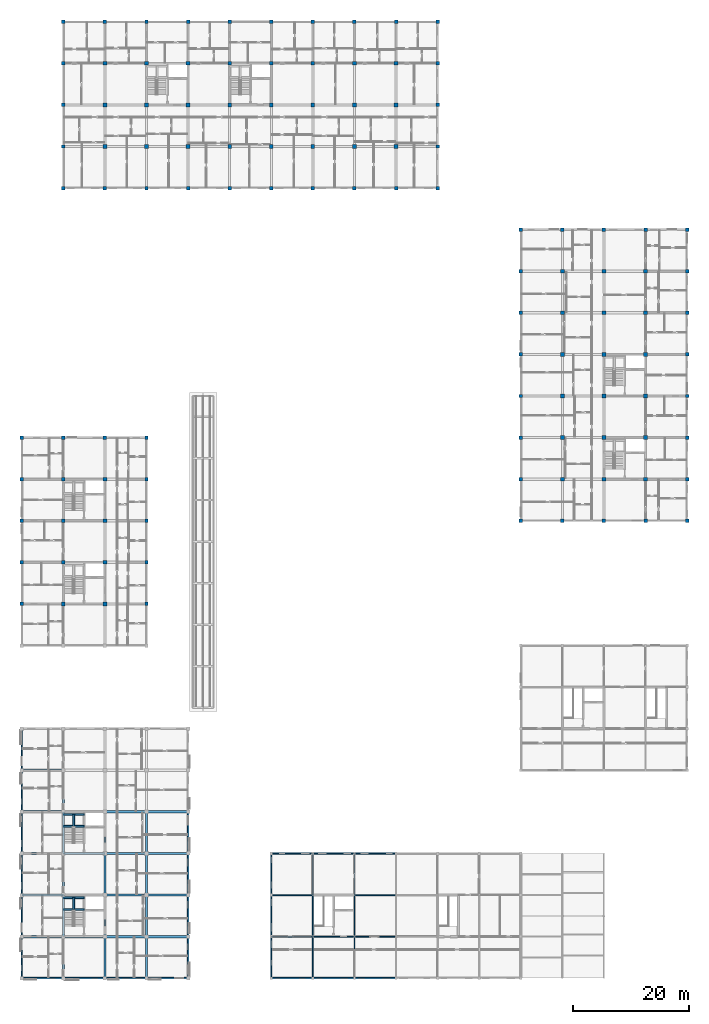
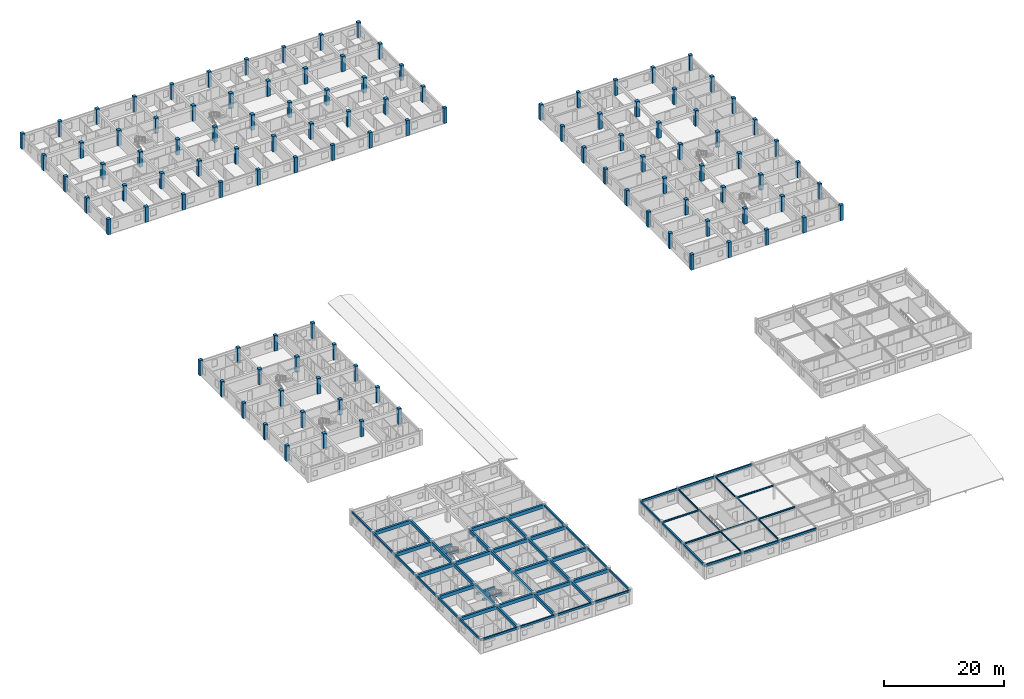
# One storey, part 8 of 50: 110 columns, 68 beams.
"""IFC4 building model written with IfcOpenShell, lengths in metres."""

from ifc_helpers import new_model, si_unit, direction, frame, origin, origin_2d, place, context, subcontext, project, spatial, rectangle, i_section, extrude, material, material_profile, profile_set, type_object, element, save


model = new_model("IFC4")

# Units and contexts
model_context = context("Model", 3, precision=1e-05, world=origin(), true_north=direction((0.0, 1.0)))
body_context = subcontext(model_context, "Body", "Model", "MODEL_VIEW")
ifc_project = project(units=[si_unit("LENGTHUNIT", "METRE"), si_unit("AREAUNIT", "SQUARE_METRE"), si_unit("VOLUMEUNIT", "CUBIC_METRE"), si_unit("PLANEANGLEUNIT", "RADIAN"), si_unit("MASSUNIT", "GRAM", prefix="KILO"), si_unit("THERMODYNAMICTEMPERATUREUNIT", "KELVIN"), si_unit("POWERUNIT", "WATT")], contexts=[model_context])

# Site, building, storey
site_placement = place(None, origin())
site = spatial("IfcSite", under=ifc_project, at=site_placement, CompositionType="ELEMENT")
building_placement = place(site_placement, origin())
building = spatial("IfcBuilding", under=site, at=building_placement, Name="Tavuni Mirador Residences", CompositionType="ELEMENT")
storey_placement = place(building_placement, frame((0.0, 0.0, 4.5)))
storey = spatial("IfcBuildingStorey", under=building, at=storey_placement, Name="L01", CompositionType="ELEMENT", Elevation=4.5)

# Columns
ifc_material_1 = material(Name="Precast concrete C40/50", Category="concrete")
ifc_material_profile_1 = material_profile(ifc_material_1, rectangle(XDim=0.60009765625, YDim=0.60009765625, at=origin_2d()), Name="RC 600x600", Category="concrete")
ifc_profile_set_1 = profile_set([ifc_material_profile_1], Name="Precast concrete C40/50")
column_type_1 = type_object("IfcColumnType", Name="CT-RC600", PredefinedType="COLUMN", material=ifc_profile_set_1)
for number, where, z_axis, x_axis, name in (
    (1, (3.60009765625, 72.0, 0.0), (0.0, 0.0, 1.0), (1.0, 0.0, 0.0), "COL-BLK-B-L01-00-01"),
    (2, (3.60009765625, 79.199951171875, 0.0), (0.0, 0.0, 1.0), (1.0, 0.0, 0.0), "COL-BLK-B-L01-00-02"),
    (3, (3.60009765625, 86.39990234375, 0.0), (0.0, 0.0, 1.0), (1.0, 0.0, 0.0), "COL-BLK-B-L01-00-03"),
    (4, (3.60009765625, 93.60009765625, 0.0), (0.0, 0.0, 1.0), (1.0, 0.0, 0.0), "COL-BLK-B-L01-00-04"),
    (5, (3.60009765625, 100.800048828125, 0.0), (0.0, 0.0, 1.0), (1.0, 0.0, 0.0), "COL-BLK-B-L01-00-05"),
    (6, (10.800048828125, 100.800048828125, 0.0), (0.0, 0.0, 1.0), (1.0, 0.0, 0.0), "COL-BLK-B-L01-01-05"),
    (7, (18.0, 100.800048828125, 0.0), (0.0, 0.0, 1.0), (1.0, 0.0, 0.0), "COL-BLK-B-L01-02-05"),
    (8, (25.199951171875, 72.0, 0.0), (0.0, 0.0, 1.0), (1.0, 0.0, 0.0), "COL-BLK-B-L01-03-01"),
    (9, (25.199951171875, 79.199951171875, 0.0), (0.0, 0.0, 1.0), (1.0, 0.0, 0.0), "COL-BLK-B-L01-03-02"),
    (10, (25.199951171875, 86.39990234375, 0.0), (0.0, 0.0, 1.0), (1.0, 0.0, 0.0), "COL-BLK-B-L01-03-03"),
    (11, (25.199951171875, 93.60009765625, 0.0), (0.0, 0.0, 1.0), (1.0, 0.0, 0.0), "COL-BLK-B-L01-03-04"),
    (12, (25.199951171875, 100.800048828125, 0.0), (0.0, 0.0, 1.0), (1.0, 0.0, 0.0), "COL-BLK-B-L01-03-05"),
    (13, (10.800048828125, 144.0, 0.0), (0.0, 0.0, 1.0), (1.0, 0.0, 0.0), "COL-BLK-C-L01-00-00"),
    (14, (10.800048828125, 151.199951171875, 0.0), (0.0, 0.0, 1.0), (1.0, 0.0, 0.0), "COL-BLK-C-L01-00-01"),
    (15, (10.800048828125, 158.39990234375, 0.0), (0.0, 0.0, 1.0), (1.0, 0.0, 0.0), "COL-BLK-C-L01-00-02"),
    (16, (10.800048828125, 165.60009765625, 0.0), (0.0, 0.0, 1.0), (1.0, 0.0, 0.0), "COL-BLK-C-L01-00-03"),
    (17, (10.800048828125, 172.800048828125, 0.0), (0.0, 0.0, 1.0), (1.0, 0.0, 0.0), "COL-BLK-C-L01-00-04"),
    (18, (18.0, 144.0, 0.0), (0.0, 0.0, 1.0), (1.0, 0.0, 0.0), "COL-BLK-C-L01-01-00"),
    (19, (18.0, 172.800048828125, 0.0), (0.0, 0.0, 1.0), (1.0, 0.0, 0.0), "COL-BLK-C-L01-01-04"),
    (20, (25.199951171875, 144.0, 0.0), (0.0, 0.0, 1.0), (1.0, 0.0, 0.0), "COL-BLK-C-L01-02-00"),
    (21, (25.199951171875, 172.800048828125, 0.0), (0.0, 0.0, 1.0), (1.0, 0.0, 0.0), "COL-BLK-C-L01-02-04"),
    (22, (32.39990234375, 144.0, 0.0), (0.0, 0.0, 1.0), (1.0, 0.0, 0.0), "COL-BLK-C-L01-03-00"),
    (23, (32.39990234375, 172.800048828125, 0.0), (0.0, 0.0, 1.0), (1.0, 0.0, 0.0), "COL-BLK-C-L01-03-04"),
    (24, (39.60009765625, 144.0, 0.0), (0.0, 0.0, 1.0), (1.0, 0.0, 0.0), "COL-BLK-C-L01-04-00"),
    (25, (39.60009765625, 172.800048828125, 0.0), (0.0, 0.0, 1.0), (1.0, 0.0, 0.0), "COL-BLK-C-L01-04-04"),
    (26, (46.800048828125, 144.0, 0.0), (0.0, 0.0, 1.0), (1.0, 0.0, 0.0), "COL-BLK-C-L01-05-00"),
    (27, (46.800048828125, 172.800048828125, 0.0), (0.0, 0.0, 1.0), (1.0, 0.0, 0.0), "COL-BLK-C-L01-05-04"),
    (28, (54.0, 144.0, 0.0), (0.0, 0.0, 1.0), (1.0, 0.0, 0.0), "COL-BLK-C-L01-06-00"),
    (29, (54.0, 172.800048828125, 0.0), (0.0, 0.0, 1.0), (1.0, 0.0, 0.0), "COL-BLK-C-L01-06-04"),
    (30, (61.199951171875, 144.0, 0.0), (0.0, 0.0, 1.0), (1.0, 0.0, 0.0), "COL-BLK-C-L01-07-00"),
    (31, (61.199951171875, 172.800048828125, 0.0), (0.0, 0.0, 1.0), (1.0, 0.0, 0.0), "COL-BLK-C-L01-07-04"),
    (32, (68.39990234375, 144.0, 0.0), (0.0, 0.0, 1.0), (1.0, 0.0, 0.0), "COL-BLK-C-L01-08-00"),
    (33, (68.39990234375, 172.800048828125, 0.0), (0.0, 0.0, 1.0), (1.0, 0.0, 0.0), "COL-BLK-C-L01-08-04"),
    (34, (75.60009765625, 144.0, 0.0), (0.0, 0.0, 1.0), (1.0, 0.0, 0.0), "COL-BLK-C-L01-09-00"),
    (35, (75.60009765625, 151.199951171875, 0.0), (0.0, 0.0, 1.0), (1.0, 0.0, 0.0), "COL-BLK-C-L01-09-01"),
    (36, (75.60009765625, 158.39990234375, 0.0), (0.0, 0.0, 1.0), (1.0, 0.0, 0.0), "COL-BLK-C-L01-09-02"),
    (37, (75.60009765625, 165.60009765625, 0.0), (0.0, 0.0, 1.0), (1.0, 0.0, 0.0), "COL-BLK-C-L01-09-03"),
    (38, (75.60009765625, 172.800048828125, 0.0), (0.0, 0.0, 1.0), (1.0, 0.0, 0.0), "COL-BLK-C-L01-09-04"),
    (39, (90.0, 86.39990234375, 0.0), (0.0, 0.0, 1.0), (1.0, 0.0, 0.0), "COL-BLK-D-L01-00-00"),
    (40, (90.0, 93.60009765625, 0.0), (0.0, 0.0, 1.0), (1.0, 0.0, 0.0), "COL-BLK-D-L01-00-01"),
    (41, (90.0, 100.800048828125, 0.0), (0.0, 0.0, 1.0), (1.0, 0.0, 0.0), "COL-BLK-D-L01-00-02"),
    (42, (90.0, 108.0, 0.0), (0.0, 0.0, 1.0), (1.0, 0.0, 0.0), "COL-BLK-D-L01-00-03"),
    (43, (90.0, 115.199951171875, 0.0), (0.0, 0.0, 1.0), (1.0, 0.0, 0.0), "COL-BLK-D-L01-00-04"),
    (44, (90.0, 122.39990234375, 0.0), (0.0, 0.0, 1.0), (1.0, 0.0, 0.0), "COL-BLK-D-L01-00-05"),
    (45, (90.0, 129.60009765625, 0.0), (0.0, 0.0, 1.0), (1.0, 0.0, 0.0), "COL-BLK-D-L01-00-06"),
    (46, (90.0, 136.800048828125, 0.0), (0.0, 0.0, 1.0), (1.0, 0.0, 0.0), "COL-BLK-D-L01-00-07"),
    (47, (97.199951171875, 86.39990234375, 0.0), (0.0, 0.0, 1.0), (1.0, 0.0, 0.0), "COL-BLK-D-L01-01-00"),
    (48, (97.199951171875, 136.800048828125, 0.0), (0.0, 0.0, 1.0), (1.0, 0.0, 0.0), "COL-BLK-D-L01-01-07"),
    (49, (104.39990234375, 86.39990234375, 0.0), (0.0, 0.0, 1.0), (1.0, 0.0, 0.0), "COL-BLK-D-L01-02-00"),
    (50, (104.39990234375, 136.800048828125, 0.0), (0.0, 0.0, 1.0), (1.0, 0.0, 0.0), "COL-BLK-D-L01-02-07"),
    (51, (111.60009765625, 86.39990234375, 0.0), (0.0, 0.0, 1.0), (1.0, 0.0, 0.0), "COL-BLK-D-L01-03-00"),
    (52, (111.60009765625, 136.800048828125, 0.0), (0.0, 0.0, 1.0), (1.0, 0.0, 0.0), "COL-BLK-D-L01-03-07"),
    (53, (118.800048828125, 86.39990234375, 0.0), (0.0, 0.0, 1.0), (1.0, 0.0, 0.0), "COL-BLK-D-L01-04-00"),
    (54, (118.800048828125, 93.60009765625, 0.0), (0.0, 0.0, 1.0), (1.0, 0.0, 0.0), "COL-BLK-D-L01-04-01"),
    (55, (118.800048828125, 100.800048828125, 0.0), (0.0, 0.0, 1.0), (1.0, 0.0, 0.0), "COL-BLK-D-L01-04-02"),
    (56, (118.800048828125, 108.0, 0.0), (0.0, 0.0, 1.0), (1.0, 0.0, 0.0), "COL-BLK-D-L01-04-03"),
    (57, (118.800048828125, 115.199951171875, 0.0), (0.0, 0.0, 1.0), (1.0, 0.0, 0.0), "COL-BLK-D-L01-04-04"),
    (58, (118.800048828125, 122.39990234375, 0.0), (0.0, 0.0, 1.0), (1.0, 0.0, 0.0), "COL-BLK-D-L01-04-05"),
    (59, (118.800048828125, 129.60009765625, 0.0), (0.0, 0.0, 1.0), (1.0, 0.0, 0.0), "COL-BLK-D-L01-04-06"),
    (60, (118.800048828125, 136.800048828125, 0.0), (0.0, 0.0, 1.0), (1.0, 0.0, 0.0), "COL-BLK-D-L01-04-07"),
):
    element("IfcColumn", number, at=place(storey_placement, frame(where, z_axis=z_axis, x_axis=x_axis)), inside=storey, type_object=column_type_1, Name=name, PredefinedType="COLUMN", context=body_context, shape_type="SweptSolid", body=[
        extrude(rectangle(XDim=0.60009765625, YDim=0.60009765625, at=origin_2d()), origin(), (0.0, 0.0, 1.0), 3.14990234375),
    ])
ifc_material_2 = material(Name="In-situ concrete C35/45", Category="concrete")
ifc_material_profile_2 = material_profile(ifc_material_2, rectangle(XDim=0.64990234375, YDim=0.64990234375, at=origin_2d()), Name="RC 650x650", Category="concrete")
ifc_profile_set_2 = profile_set([ifc_material_profile_2], Name="In-situ concrete C35/45")
column_type_2 = type_object("IfcColumnType", Name="CT-RC650", PredefinedType="COLUMN", material=ifc_profile_set_2)
for number, where, z_axis, x_axis, name in (
    (61, (10.800048828125, 72.0, 0.0), (0.0, 0.0, 1.0), (1.0, 0.0, 0.0), "COL-BLK-B-L01-01-01"),
    (62, (10.800048828125, 79.199951171875, 0.0), (0.0, 0.0, 1.0), (1.0, 0.0, 0.0), "COL-BLK-B-L01-01-02"),
    (63, (10.800048828125, 86.39990234375, 0.0), (0.0, 0.0, 1.0), (1.0, 0.0, 0.0), "COL-BLK-B-L01-01-03"),
    (64, (10.800048828125, 93.60009765625, 0.0), (0.0, 0.0, 1.0), (1.0, 0.0, 0.0), "COL-BLK-B-L01-01-04"),
    (65, (18.0, 72.0, 0.0), (0.0, 0.0, 1.0), (1.0, 0.0, 0.0), "COL-BLK-B-L01-02-01"),
    (66, (18.0, 79.199951171875, 0.0), (0.0, 0.0, 1.0), (1.0, 0.0, 0.0), "COL-BLK-B-L01-02-02"),
    (67, (18.0, 86.39990234375, 0.0), (0.0, 0.0, 1.0), (1.0, 0.0, 0.0), "COL-BLK-B-L01-02-03"),
    (68, (18.0, 93.60009765625, 0.0), (0.0, 0.0, 1.0), (1.0, 0.0, 0.0), "COL-BLK-B-L01-02-04"),
    (69, (18.0, 151.199951171875, 0.0), (0.0, 0.0, 1.0), (1.0, 0.0, 0.0), "COL-BLK-C-L01-01-01"),
    (70, (18.0, 158.39990234375, 0.0), (0.0, 0.0, 1.0), (1.0, 0.0, 0.0), "COL-BLK-C-L01-01-02"),
    (71, (18.0, 165.60009765625, 0.0), (0.0, 0.0, 1.0), (1.0, 0.0, 0.0), "COL-BLK-C-L01-01-03"),
    (72, (25.199951171875, 151.199951171875, 0.0), (0.0, 0.0, 1.0), (1.0, 0.0, 0.0), "COL-BLK-C-L01-02-01"),
    (73, (25.199951171875, 158.39990234375, 0.0), (0.0, 0.0, 1.0), (1.0, 0.0, 0.0), "COL-BLK-C-L01-02-02"),
    (74, (25.199951171875, 165.60009765625, 0.0), (0.0, 0.0, 1.0), (1.0, 0.0, 0.0), "COL-BLK-C-L01-02-03"),
    (75, (32.39990234375, 151.199951171875, 0.0), (0.0, 0.0, 1.0), (1.0, 0.0, 0.0), "COL-BLK-C-L01-03-01"),
    (76, (32.39990234375, 158.39990234375, 0.0), (0.0, 0.0, 1.0), (1.0, 0.0, 0.0), "COL-BLK-C-L01-03-02"),
    (77, (32.39990234375, 165.60009765625, 0.0), (0.0, 0.0, 1.0), (1.0, 0.0, 0.0), "COL-BLK-C-L01-03-03"),
    (78, (39.60009765625, 151.199951171875, 0.0), (0.0, 0.0, 1.0), (1.0, 0.0, 0.0), "COL-BLK-C-L01-04-01"),
    (79, (39.60009765625, 158.39990234375, 0.0), (0.0, 0.0, 1.0), (1.0, 0.0, 0.0), "COL-BLK-C-L01-04-02"),
    (80, (39.60009765625, 165.60009765625, 0.0), (0.0, 0.0, 1.0), (1.0, 0.0, 0.0), "COL-BLK-C-L01-04-03"),
    (81, (46.800048828125, 151.199951171875, 0.0), (0.0, 0.0, 1.0), (1.0, 0.0, 0.0), "COL-BLK-C-L01-05-01"),
    (82, (46.800048828125, 158.39990234375, 0.0), (0.0, 0.0, 1.0), (1.0, 0.0, 0.0), "COL-BLK-C-L01-05-02"),
    (83, (46.800048828125, 165.60009765625, 0.0), (0.0, 0.0, 1.0), (1.0, 0.0, 0.0), "COL-BLK-C-L01-05-03"),
    (84, (54.0, 151.199951171875, 0.0), (0.0, 0.0, 1.0), (1.0, 0.0, 0.0), "COL-BLK-C-L01-06-01"),
    (85, (54.0, 158.39990234375, 0.0), (0.0, 0.0, 1.0), (1.0, 0.0, 0.0), "COL-BLK-C-L01-06-02"),
    (86, (54.0, 165.60009765625, 0.0), (0.0, 0.0, 1.0), (1.0, 0.0, 0.0), "COL-BLK-C-L01-06-03"),
    (87, (61.199951171875, 151.199951171875, 0.0), (0.0, 0.0, 1.0), (1.0, 0.0, 0.0), "COL-BLK-C-L01-07-01"),
    (88, (61.199951171875, 158.39990234375, 0.0), (0.0, 0.0, 1.0), (1.0, 0.0, 0.0), "COL-BLK-C-L01-07-02"),
    (89, (61.199951171875, 165.60009765625, 0.0), (0.0, 0.0, 1.0), (1.0, 0.0, 0.0), "COL-BLK-C-L01-07-03"),
    (90, (68.39990234375, 151.199951171875, 0.0), (0.0, 0.0, 1.0), (1.0, 0.0, 0.0), "COL-BLK-C-L01-08-01"),
    (91, (68.39990234375, 158.39990234375, 0.0), (0.0, 0.0, 1.0), (1.0, 0.0, 0.0), "COL-BLK-C-L01-08-02"),
    (92, (68.39990234375, 165.60009765625, 0.0), (0.0, 0.0, 1.0), (1.0, 0.0, 0.0), "COL-BLK-C-L01-08-03"),
    (93, (97.199951171875, 93.60009765625, 0.0), (0.0, 0.0, 1.0), (1.0, 0.0, 0.0), "COL-BLK-D-L01-01-01"),
    (94, (97.199951171875, 100.800048828125, 0.0), (0.0, 0.0, 1.0), (1.0, 0.0, 0.0), "COL-BLK-D-L01-01-02"),
    (95, (97.199951171875, 108.0, 0.0), (0.0, 0.0, 1.0), (1.0, 0.0, 0.0), "COL-BLK-D-L01-01-03"),
    (96, (97.199951171875, 115.199951171875, 0.0), (0.0, 0.0, 1.0), (1.0, 0.0, 0.0), "COL-BLK-D-L01-01-04"),
    (97, (97.199951171875, 122.39990234375, 0.0), (0.0, 0.0, 1.0), (1.0, 0.0, 0.0), "COL-BLK-D-L01-01-05"),
    (98, (97.199951171875, 129.60009765625, 0.0), (0.0, 0.0, 1.0), (1.0, 0.0, 0.0), "COL-BLK-D-L01-01-06"),
    (99, (104.39990234375, 93.60009765625, 0.0), (0.0, 0.0, 1.0), (1.0, 0.0, 0.0), "COL-BLK-D-L01-02-01"),
    (100, (104.39990234375, 100.800048828125, 0.0), (0.0, 0.0, 1.0), (1.0, 0.0, 0.0), "COL-BLK-D-L01-02-02"),
    (101, (104.39990234375, 108.0, 0.0), (0.0, 0.0, 1.0), (1.0, 0.0, 0.0), "COL-BLK-D-L01-02-03"),
    (102, (104.39990234375, 115.199951171875, 0.0), (0.0, 0.0, 1.0), (1.0, 0.0, 0.0), "COL-BLK-D-L01-02-04"),
    (103, (104.39990234375, 122.39990234375, 0.0), (0.0, 0.0, 1.0), (1.0, 0.0, 0.0), "COL-BLK-D-L01-02-05"),
    (104, (104.39990234375, 129.60009765625, 0.0), (0.0, 0.0, 1.0), (1.0, 0.0, 0.0), "COL-BLK-D-L01-02-06"),
    (105, (111.60009765625, 93.60009765625, 0.0), (0.0, 0.0, 1.0), (1.0, 0.0, 0.0), "COL-BLK-D-L01-03-01"),
    (106, (111.60009765625, 100.800048828125, 0.0), (0.0, 0.0, 1.0), (1.0, 0.0, 0.0), "COL-BLK-D-L01-03-02"),
    (107, (111.60009765625, 108.0, 0.0), (0.0, 0.0, 1.0), (1.0, 0.0, 0.0), "COL-BLK-D-L01-03-03"),
    (108, (111.60009765625, 115.199951171875, 0.0), (0.0, 0.0, 1.0), (1.0, 0.0, 0.0), "COL-BLK-D-L01-03-04"),
    (109, (111.60009765625, 122.39990234375, 0.0), (0.0, 0.0, 1.0), (1.0, 0.0, 0.0), "COL-BLK-D-L01-03-05"),
    (110, (111.60009765625, 129.60009765625, 0.0), (0.0, 0.0, 1.0), (1.0, 0.0, 0.0), "COL-BLK-D-L01-03-06"),
):
    element("IfcColumn", number, at=place(storey_placement, frame(where, z_axis=z_axis, x_axis=x_axis)), inside=storey, type_object=column_type_2, Name=name, PredefinedType="COLUMN", context=body_context, shape_type="SweptSolid", body=[
        extrude(rectangle(XDim=0.64990234375, YDim=0.64990234375, at=origin_2d()), origin(), (0.0, 0.0, 1.0), 3.14990234375),
    ])

# Beams
ifc_material_profile_3 = material_profile(ifc_material_1, rectangle(XDim=0.300048828125, YDim=0.5, at=origin_2d()), Name="PC 300x500", Category="concrete")
ifc_profile_set_3 = profile_set([ifc_material_profile_3], Name="Precast concrete C40/50")
beam_type_1 = type_object("IfcBeamType", Name="BT-B500", PredefinedType="BEAM", material=ifc_profile_set_3)
for number, where, z_axis, x_axis, name in (
    (111, (10.800048828125, 19.10009765625, 1.14501953125), (1.0, 0.0, 0.0), (0.0, 1.0, 0.0), "HLB1-C1-L01"),
    (112, (10.800048828125, 21.14990234375, 1.14501953125), (1.0, 0.0, 0.0), (0.0, 1.0, 0.0), "HLB2-C1-L01"),
):
    element("IfcBeam", number, at=place(storey_placement, frame(where, z_axis=z_axis, x_axis=x_axis)), inside=storey, type_object=beam_type_1, Name=name, PredefinedType="BEAM", context=body_context, shape_type="SweptSolid", body=[
        extrude(rectangle(XDim=0.300048828125, YDim=0.5, at=origin_2d()), origin(), (0.0, 0.0, 1.0), 3.599853515625),
    ])
beam_1_placement = place(storey_placement, frame((12.60009765625, 19.10009765625, 1.14501953125), z_axis=(0.0, 1.0, 0.0), x_axis=(-1.0, 0.0, 0.0)))
element("IfcBeam", 113, at=beam_1_placement, inside=storey, type_object=beam_type_1, Name="HLB3-C1-L01", PredefinedType="BEAM", context=body_context, shape_type="SweptSolid", body=[
    extrude(rectangle(XDim=0.300048828125, YDim=0.5, at=origin_2d()), origin(), (0.0, 0.0, 1.0), 2.0498046875),
])
for number, where, z_axis, x_axis, name in (
    (114, (10.800048828125, 33.5, 1.14501953125), (1.0, 0.0, 0.0), (0.0, 1.0, 0.0), "HLB1-C2-L01"),
    (115, (10.800048828125, 35.550048828125, 1.14501953125), (1.0, 0.0, 0.0), (0.0, 1.0, 0.0), "HLB2-C2-L01"),
):
    element("IfcBeam", number, at=place(storey_placement, frame(where, z_axis=z_axis, x_axis=x_axis)), inside=storey, type_object=beam_type_1, Name=name, PredefinedType="BEAM", context=body_context, shape_type="SweptSolid", body=[
        extrude(rectangle(XDim=0.300048828125, YDim=0.5, at=origin_2d()), origin(), (0.0, 0.0, 1.0), 3.599853515625),
    ])
beam_2_placement = place(storey_placement, frame((12.60009765625, 33.5, 1.14501953125), z_axis=(0.0, 1.0, 0.0), x_axis=(-1.0, 0.0, 0.0)))
element("IfcBeam", 116, at=beam_2_placement, inside=storey, type_object=beam_type_1, Name="HLB3-C2-L01", PredefinedType="BEAM", context=body_context, shape_type="SweptSolid", body=[
    extrude(rectangle(XDim=0.300048828125, YDim=0.5, at=origin_2d()), origin(), (0.0, 0.0, 1.0), 2.050048828125),
])
ifc_material_profile_4 = material_profile(ifc_material_1, rectangle(XDim=0.35009765625, YDim=0.64990234375, at=origin_2d()), Name="PC 350x650", Category="concrete")
ifc_profile_set_4 = profile_set([ifc_material_profile_4], Name="Precast concrete C40/50")
beam_type_2 = type_object("IfcBeamType", Name="BT-B650", PredefinedType="BEAM", material=ifc_profile_set_4)
beam_3_placement = place(storey_placement, frame((10.800048828125, 7.199951171875, 2.544921875), z_axis=(0.0, 1.0, 0.0), x_axis=(-1.0, 0.0, 0.0)))
element("IfcBeam", 117, at=beam_3_placement, inside=storey, type_object=beam_type_2, Name="BMY-BLK-A-L01-01-00", PredefinedType="BEAM", context=body_context, shape_type="SweptSolid", body=[
    extrude(rectangle(XDim=0.35009765625, YDim=0.64990234375, at=origin_2d()), origin(), (0.0, 0.0, 1.0), 7.199951171875),
])
beam_4_placement = place(storey_placement, frame((10.800048828125, 14.39990234375, 2.544921875), z_axis=(0.0, 1.0, 0.0), x_axis=(-1.0, 0.0, 0.0)))
element("IfcBeam", 118, at=beam_4_placement, inside=storey, type_object=beam_type_2, Name="BMY-BLK-A-L01-01-01", PredefinedType="BEAM", context=body_context, shape_type="SweptSolid", body=[
    extrude(rectangle(XDim=0.35009765625, YDim=0.64990234375, at=origin_2d()), origin(), (0.0, 0.0, 1.0), 7.2001953125),
])
for number, where, z_axis, x_axis, name in (
    (119, (10.800048828125, 21.60009765625, 2.544921875), (0.0, 1.0, 0.0), (-1.0, 0.0, 0.0), "BMY-BLK-A-L01-01-02"),
    (120, (10.800048828125, 28.800048828125, 2.544921875), (0.0, 1.0, 0.0), (-1.0, 0.0, 0.0), "BMY-BLK-A-L01-01-03"),
    (121, (10.800048828125, 36.0, 2.544921875), (0.0, 1.0, 0.0), (-1.0, 0.0, 0.0), "BMY-BLK-A-L01-01-04"),
    (122, (18.0, 7.199951171875, 2.544921875), (0.0, 1.0, 0.0), (-1.0, 0.0, 0.0), "BMY-BLK-A-L01-02-00"),
):
    element("IfcBeam", number, at=place(storey_placement, frame(where, z_axis=z_axis, x_axis=x_axis)), inside=storey, type_object=beam_type_2, Name=name, PredefinedType="BEAM", context=body_context, shape_type="SweptSolid", body=[
        extrude(rectangle(XDim=0.35009765625, YDim=0.64990234375, at=origin_2d()), origin(), (0.0, 0.0, 1.0), 7.199951171875),
    ])
beam_5_placement = place(storey_placement, frame((18.0, 14.39990234375, 2.544921875), z_axis=(0.0, 1.0, 0.0), x_axis=(-1.0, 0.0, 0.0)))
element("IfcBeam", 123, at=beam_5_placement, inside=storey, type_object=beam_type_2, Name="BMY-BLK-A-L01-02-01", PredefinedType="BEAM", context=body_context, shape_type="SweptSolid", body=[
    extrude(rectangle(XDim=0.35009765625, YDim=0.64990234375, at=origin_2d()), origin(), (0.0, 0.0, 1.0), 7.2001953125),
])
for number, where, z_axis, x_axis, name in (
    (124, (18.0, 21.60009765625, 2.544921875), (0.0, 1.0, 0.0), (-1.0, 0.0, 0.0), "BMY-BLK-A-L01-02-02"),
    (125, (18.0, 28.800048828125, 2.544921875), (0.0, 1.0, 0.0), (-1.0, 0.0, 0.0), "BMY-BLK-A-L01-02-03"),
    (126, (25.199951171875, 7.199951171875, 2.544921875), (0.0, 1.0, 0.0), (-1.0, 0.0, 0.0), "BMY-BLK-A-L01-03-00"),
):
    element("IfcBeam", number, at=place(storey_placement, frame(where, z_axis=z_axis, x_axis=x_axis)), inside=storey, type_object=beam_type_2, Name=name, PredefinedType="BEAM", context=body_context, shape_type="SweptSolid", body=[
        extrude(rectangle(XDim=0.35009765625, YDim=0.64990234375, at=origin_2d()), origin(), (0.0, 0.0, 1.0), 7.199951171875),
    ])
beam_6_placement = place(storey_placement, frame((25.199951171875, 14.39990234375, 2.544921875), z_axis=(0.0, 1.0, 0.0), x_axis=(-1.0, 0.0, 0.0)))
element("IfcBeam", 127, at=beam_6_placement, inside=storey, type_object=beam_type_2, Name="BMY-BLK-A-L01-03-01", PredefinedType="BEAM", context=body_context, shape_type="SweptSolid", body=[
    extrude(rectangle(XDim=0.35009765625, YDim=0.64990234375, at=origin_2d()), origin(), (0.0, 0.0, 1.0), 7.2001953125),
])
for number, where, z_axis, x_axis, name in (
    (128, (25.199951171875, 21.60009765625, 2.544921875), (0.0, 1.0, 0.0), (-1.0, 0.0, 0.0), "BMY-BLK-A-L01-03-02"),
    (129, (25.199951171875, 28.800048828125, 2.544921875), (0.0, 1.0, 0.0), (-1.0, 0.0, 0.0), "BMY-BLK-A-L01-03-03"),
):
    element("IfcBeam", number, at=place(storey_placement, frame(where, z_axis=z_axis, x_axis=x_axis)), inside=storey, type_object=beam_type_2, Name=name, PredefinedType="BEAM", context=body_context, shape_type="SweptSolid", body=[
        extrude(rectangle(XDim=0.35009765625, YDim=0.64990234375, at=origin_2d()), origin(), (0.0, 0.0, 1.0), 7.199951171875),
    ])
ifc_material_profile_5 = material_profile(ifc_material_1, rectangle(XDim=0.39990234375, YDim=0.699951171875, at=origin_2d()), Name="PC 400x700", Category="concrete")
ifc_profile_set_5 = profile_set([ifc_material_profile_5], Name="Precast concrete C40/50")
beam_type_3 = type_object("IfcBeamType", Name="BT-B700", PredefinedType="BEAM", material=ifc_profile_set_5)
for number, where, z_axis, x_axis, name in (
    (130, (3.60009765625, 14.39990234375, 2.52001953125), (1.0, 0.0, 0.0), (0.0, 1.0, 0.0), "BMX-BLK-A-L01-00-01"),
    (131, (10.800048828125, 14.39990234375, 2.52001953125), (1.0, 0.0, 0.0), (0.0, 1.0, 0.0), "BMX-BLK-A-L01-01-01"),
    (132, (18.0, 14.39990234375, 2.52001953125), (1.0, 0.0, 0.0), (0.0, 1.0, 0.0), "BMX-BLK-A-L01-02-01"),
    (133, (25.199951171875, 14.39990234375, 2.52001953125), (1.0, 0.0, 0.0), (0.0, 1.0, 0.0), "BMX-BLK-A-L01-03-01"),
    (134, (3.60009765625, 21.60009765625, 2.52001953125), (1.0, 0.0, 0.0), (0.0, 1.0, 0.0), "BMX-BLK-A-L01-00-02"),
    (135, (18.0, 21.60009765625, 2.52001953125), (1.0, 0.0, 0.0), (0.0, 1.0, 0.0), "BMX-BLK-A-L01-02-02"),
    (136, (25.199951171875, 21.60009765625, 2.52001953125), (1.0, 0.0, 0.0), (0.0, 1.0, 0.0), "BMX-BLK-A-L01-03-02"),
    (137, (3.60009765625, 28.800048828125, 2.52001953125), (1.0, 0.0, 0.0), (0.0, 1.0, 0.0), "BMX-BLK-A-L01-00-03"),
    (138, (10.800048828125, 28.800048828125, 2.52001953125), (1.0, 0.0, 0.0), (0.0, 1.0, 0.0), "BMX-BLK-A-L01-01-03"),
    (139, (18.0, 28.800048828125, 2.52001953125), (1.0, 0.0, 0.0), (0.0, 1.0, 0.0), "BMX-BLK-A-L01-02-03"),
    (140, (25.199951171875, 28.800048828125, 2.52001953125), (1.0, 0.0, 0.0), (0.0, 1.0, 0.0), "BMX-BLK-A-L01-03-03"),
    (141, (3.60009765625, 36.0, 2.52001953125), (1.0, 0.0, 0.0), (0.0, 1.0, 0.0), "BMX-BLK-A-L01-00-04"),
    (142, (18.0, 36.0, 2.52001953125), (1.0, 0.0, 0.0), (0.0, 1.0, 0.0), "BMX-BLK-A-L01-02-04"),
    (143, (25.199951171875, 36.0, 2.52001953125), (1.0, 0.0, 0.0), (0.0, 1.0, 0.0), "BMX-BLK-A-L01-03-04"),
    (144, (3.60009765625, 43.199951171875, 2.52001953125), (1.0, 0.0, 0.0), (0.0, 1.0, 0.0), "BMX-BLK-A-L01-00-05"),
):
    element("IfcBeam", number, at=place(storey_placement, frame(where, z_axis=z_axis, x_axis=x_axis)), inside=storey, type_object=beam_type_3, Name=name, PredefinedType="BEAM", context=body_context, shape_type="SweptSolid", body=[
        extrude(rectangle(XDim=0.39990234375, YDim=0.699951171875, at=origin_2d()), origin(), (0.0, 0.0, 1.0), 7.199951171875),
    ])
ifc_material_profile_6 = material_profile(ifc_material_1, rectangle(XDim=0.25, YDim=0.419921875, at=origin_2d()), Name="PC 250x420", Category="concrete")
ifc_profile_set_6 = profile_set([ifc_material_profile_6], Name="Precast concrete C40/50")
beam_type_4 = type_object("IfcBeamType", Name="BT-SP420", PredefinedType="SPANDREL", material=ifc_profile_set_6)
for number, where, z_axis, x_axis, name in (
    (145, (3.60009765625, 7.199951171875, 2.659912109375), (1.0, 0.0, 0.0), (0.0, 1.0, 0.0), "BMX-BLK-A-L01-00-00"),
    (146, (10.800048828125, 7.199951171875, 2.659912109375), (1.0, 0.0, 0.0), (0.0, 1.0, 0.0), "BMX-BLK-A-L01-01-00"),
    (147, (18.0, 7.199951171875, 2.659912109375), (1.0, 0.0, 0.0), (0.0, 1.0, 0.0), "BMX-BLK-A-L01-02-00"),
    (148, (25.199951171875, 7.199951171875, 2.659912109375), (1.0, 0.0, 0.0), (0.0, 1.0, 0.0), "BMX-BLK-A-L01-03-00"),
    (149, (3.60009765625, 7.199951171875, 2.659912109375), (0.0, 1.0, 0.0), (-1.0, 0.0, 0.0), "BMY-BLK-A-L01-00-00"),
):
    element("IfcBeam", number, at=place(storey_placement, frame(where, z_axis=z_axis, x_axis=x_axis)), inside=storey, type_object=beam_type_4, Name=name, PredefinedType="SPANDREL", context=body_context, shape_type="SweptSolid", body=[
        extrude(rectangle(XDim=0.25, YDim=0.419921875, at=origin_2d()), origin(), (0.0, 0.0, 1.0), 7.199951171875),
    ])
beam_7_placement = place(storey_placement, frame((3.60009765625, 14.39990234375, 2.659912109375), z_axis=(0.0, 1.0, 0.0), x_axis=(-1.0, 0.0, 0.0)))
element("IfcBeam", 150, at=beam_7_placement, inside=storey, type_object=beam_type_4, Name="BMY-BLK-A-L01-00-01", PredefinedType="SPANDREL", context=body_context, shape_type="SweptSolid", body=[
    extrude(rectangle(XDim=0.25, YDim=0.419921875, at=origin_2d()), origin(), (0.0, 0.0, 1.0), 7.2001953125),
])
for number, where, z_axis, x_axis, name in (
    (151, (3.60009765625, 21.60009765625, 2.659912109375), (0.0, 1.0, 0.0), (-1.0, 0.0, 0.0), "BMY-BLK-A-L01-00-02"),
    (152, (3.60009765625, 28.800048828125, 2.659912109375), (0.0, 1.0, 0.0), (-1.0, 0.0, 0.0), "BMY-BLK-A-L01-00-03"),
    (153, (3.60009765625, 36.0, 2.659912109375), (0.0, 1.0, 0.0), (-1.0, 0.0, 0.0), "BMY-BLK-A-L01-00-04"),
    (154, (3.60009765625, 43.199951171875, 2.659912109375), (0.0, 1.0, 0.0), (-1.0, 0.0, 0.0), "BMY-BLK-A-L01-00-05"),
    (155, (32.39990234375, 7.199951171875, 2.659912109375), (0.0, 1.0, 0.0), (-1.0, 0.0, 0.0), "BMY-BLK-A-L01-04-00"),
):
    element("IfcBeam", number, at=place(storey_placement, frame(where, z_axis=z_axis, x_axis=x_axis)), inside=storey, type_object=beam_type_4, Name=name, PredefinedType="SPANDREL", context=body_context, shape_type="SweptSolid", body=[
        extrude(rectangle(XDim=0.25, YDim=0.419921875, at=origin_2d()), origin(), (0.0, 0.0, 1.0), 7.199951171875),
    ])
beam_8_placement = place(storey_placement, frame((32.39990234375, 14.39990234375, 2.659912109375), z_axis=(0.0, 1.0, 0.0), x_axis=(-1.0, 0.0, 0.0)))
element("IfcBeam", 156, at=beam_8_placement, inside=storey, type_object=beam_type_4, Name="BMY-BLK-A-L01-04-01", PredefinedType="SPANDREL", context=body_context, shape_type="SweptSolid", body=[
    extrude(rectangle(XDim=0.25, YDim=0.419921875, at=origin_2d()), origin(), (0.0, 0.0, 1.0), 7.2001953125),
])
for number, where, z_axis, x_axis, name in (
    (157, (32.39990234375, 21.60009765625, 2.659912109375), (0.0, 1.0, 0.0), (-1.0, 0.0, 0.0), "BMY-BLK-A-L01-04-02"),
    (158, (32.39990234375, 28.800048828125, 2.659912109375), (0.0, 1.0, 0.0), (-1.0, 0.0, 0.0), "BMY-BLK-A-L01-04-03"),
    (159, (46.800048828125, 7.199951171875, 2.7099609375), (1.0, 0.0, 0.0), (0.0, 1.0, 0.0), "BMX-PAV-SHOP-L01-00-00"),
    (160, (54.0, 7.199951171875, 2.7099609375), (1.0, 0.0, 0.0), (0.0, 1.0, 0.0), "BMX-PAV-SHOP-L01-01-00"),
    (161, (61.199951171875, 7.199951171875, 2.7099609375), (1.0, 0.0, 0.0), (0.0, 1.0, 0.0), "BMX-PAV-SHOP-L01-02-00"),
    (162, (46.800048828125, 28.800048828125, 2.7099609375), (1.0, 0.0, 0.0), (0.0, 1.0, 0.0), "BMX-PAV-SHOP-L01-00-03"),
    (163, (54.0, 28.800048828125, 2.7099609375), (1.0, 0.0, 0.0), (0.0, 1.0, 0.0), "BMX-PAV-SHOP-L01-01-03"),
    (164, (61.199951171875, 28.800048828125, 2.7099609375), (1.0, 0.0, 0.0), (0.0, 1.0, 0.0), "BMX-PAV-SHOP-L01-02-03"),
    (165, (46.800048828125, 7.199951171875, 2.7099609375), (0.0, 1.0, 0.0), (-1.0, 0.0, 0.0), "BMY-PAV-SHOP-L01-00-00"),
):
    element("IfcBeam", number, at=place(storey_placement, frame(where, z_axis=z_axis, x_axis=x_axis)), inside=storey, type_object=beam_type_4, Name=name, PredefinedType="SPANDREL", context=body_context, shape_type="SweptSolid", body=[
        extrude(rectangle(XDim=0.25, YDim=0.419921875, at=origin_2d()), origin(), (0.0, 0.0, 1.0), 7.199951171875),
    ])
beam_9_placement = place(storey_placement, frame((46.800048828125, 14.39990234375, 2.7099609375), z_axis=(0.0, 1.0, 0.0), x_axis=(-1.0, 0.0, 0.0)))
element("IfcBeam", 166, at=beam_9_placement, inside=storey, type_object=beam_type_4, Name="BMY-PAV-SHOP-L01-00-01", PredefinedType="SPANDREL", context=body_context, shape_type="SweptSolid", body=[
    extrude(rectangle(XDim=0.25, YDim=0.419921875, at=origin_2d()), origin(), (0.0, 0.0, 1.0), 7.2001953125),
])
beam_10_placement = place(storey_placement, frame((46.800048828125, 21.60009765625, 2.7099609375), z_axis=(0.0, 1.0, 0.0), x_axis=(-1.0, 0.0, 0.0)))
element("IfcBeam", 167, at=beam_10_placement, inside=storey, type_object=beam_type_4, Name="BMY-PAV-SHOP-L01-00-02", PredefinedType="SPANDREL", context=body_context, shape_type="SweptSolid", body=[
    extrude(rectangle(XDim=0.25, YDim=0.419921875, at=origin_2d()), origin(), (0.0, 0.0, 1.0), 7.199951171875),
])
ifc_material_3 = material(Name="Structural steel S355", Category="steel")
ifc_material_profile_7 = material_profile(ifc_material_3, i_section(OverallWidth=0.14990234375, OverallDepth=0.300048828125, WebThickness=0.007080078125, FlangeThickness=0.0107421875, FilletRadius=0.014892578125, at=origin_2d()), Name="IPE 300", Category="steel")
ifc_profile_set_7 = profile_set([ifc_material_profile_7], Name="Structural steel S355")
beam_type_5 = type_object("IfcBeamType", Name="BT-ST-IPE300", PredefinedType="BEAM", material=ifc_profile_set_7)
beam_11_placement = place(storey_placement, frame((54.0, 7.199951171875, 2.77001953125), z_axis=(0.0, 1.0, 0.0), x_axis=(-1.0, 0.0, 0.0)))
element("IfcBeam", 168, at=beam_11_placement, inside=storey, type_object=beam_type_5, Name="BMY-PAV-SHOP-L01-01-00", PredefinedType="BEAM", context=body_context, shape_type="SweptSolid", body=[
    extrude(i_section(OverallWidth=0.14990234375, OverallDepth=0.300048828125, WebThickness=0.007080078125, FlangeThickness=0.0107421875, FilletRadius=0.014892578125, at=origin_2d()), origin(), (0.0, 0.0, 1.0), 7.199951171875),
])
beam_12_placement = place(storey_placement, frame((54.0, 14.39990234375, 2.77001953125), z_axis=(0.0, 1.0, 0.0), x_axis=(-1.0, 0.0, 0.0)))
element("IfcBeam", 169, at=beam_12_placement, inside=storey, type_object=beam_type_5, Name="BMY-PAV-SHOP-L01-01-01", PredefinedType="BEAM", context=body_context, shape_type="SweptSolid", body=[
    extrude(i_section(OverallWidth=0.14990234375, OverallDepth=0.300048828125, WebThickness=0.007080078125, FlangeThickness=0.0107421875, FilletRadius=0.014892578125, at=origin_2d()), origin(), (0.0, 0.0, 1.0), 7.2001953125),
])
for number, where, z_axis, x_axis, name in (
    (170, (54.0, 21.60009765625, 2.77001953125), (0.0, 1.0, 0.0), (-1.0, 0.0, 0.0), "BMY-PAV-SHOP-L01-01-02"),
    (171, (61.199951171875, 7.199951171875, 2.77001953125), (0.0, 1.0, 0.0), (-1.0, 0.0, 0.0), "BMY-PAV-SHOP-L01-02-00"),
):
    element("IfcBeam", number, at=place(storey_placement, frame(where, z_axis=z_axis, x_axis=x_axis)), inside=storey, type_object=beam_type_5, Name=name, PredefinedType="BEAM", context=body_context, shape_type="SweptSolid", body=[
        extrude(i_section(OverallWidth=0.14990234375, OverallDepth=0.300048828125, WebThickness=0.007080078125, FlangeThickness=0.0107421875, FilletRadius=0.014892578125, at=origin_2d()), origin(), (0.0, 0.0, 1.0), 7.199951171875),
    ])
beam_13_placement = place(storey_placement, frame((61.199951171875, 14.39990234375, 2.77001953125), z_axis=(0.0, 1.0, 0.0), x_axis=(-1.0, 0.0, 0.0)))
element("IfcBeam", 172, at=beam_13_placement, inside=storey, type_object=beam_type_5, Name="BMY-PAV-SHOP-L01-02-01", PredefinedType="BEAM", context=body_context, shape_type="SweptSolid", body=[
    extrude(i_section(OverallWidth=0.14990234375, OverallDepth=0.300048828125, WebThickness=0.007080078125, FlangeThickness=0.0107421875, FilletRadius=0.014892578125, at=origin_2d()), origin(), (0.0, 0.0, 1.0), 7.2001953125),
])
beam_14_placement = place(storey_placement, frame((61.199951171875, 21.60009765625, 2.77001953125), z_axis=(0.0, 1.0, 0.0), x_axis=(-1.0, 0.0, 0.0)))
element("IfcBeam", 173, at=beam_14_placement, inside=storey, type_object=beam_type_5, Name="BMY-PAV-SHOP-L01-02-02", PredefinedType="BEAM", context=body_context, shape_type="SweptSolid", body=[
    extrude(i_section(OverallWidth=0.14990234375, OverallDepth=0.300048828125, WebThickness=0.007080078125, FlangeThickness=0.0107421875, FilletRadius=0.014892578125, at=origin_2d()), origin(), (0.0, 0.0, 1.0), 7.199951171875),
])
ifc_material_profile_8 = material_profile(ifc_material_3, i_section(OverallWidth=0.159912109375, OverallDepth=0.330078125, WebThickness=0.007568359375, FlangeThickness=0.011474609375, FilletRadius=0.01806640625, at=origin_2d()), Name="IPE 330", Category="steel")
ifc_profile_set_8 = profile_set([ifc_material_profile_8], Name="Structural steel S355")
beam_type_6 = type_object("IfcBeamType", Name="BT-ST-IPE330", PredefinedType="BEAM", material=ifc_profile_set_8)
for number, where, z_axis, x_axis, name in (
    (174, (46.800048828125, 14.39990234375, 2.7548828125), (1.0, 0.0, 0.0), (0.0, 1.0, 0.0), "BMX-PAV-SHOP-L01-00-01"),
    (175, (54.0, 14.39990234375, 2.7548828125), (1.0, 0.0, 0.0), (0.0, 1.0, 0.0), "BMX-PAV-SHOP-L01-01-01"),
    (176, (61.199951171875, 14.39990234375, 2.7548828125), (1.0, 0.0, 0.0), (0.0, 1.0, 0.0), "BMX-PAV-SHOP-L01-02-01"),
    (177, (46.800048828125, 21.60009765625, 2.7548828125), (1.0, 0.0, 0.0), (0.0, 1.0, 0.0), "BMX-PAV-SHOP-L01-00-02"),
    (178, (61.199951171875, 21.60009765625, 2.7548828125), (1.0, 0.0, 0.0), (0.0, 1.0, 0.0), "BMX-PAV-SHOP-L01-02-02"),
):
    element("IfcBeam", number, at=place(storey_placement, frame(where, z_axis=z_axis, x_axis=x_axis)), inside=storey, type_object=beam_type_6, Name=name, PredefinedType="BEAM", context=body_context, shape_type="SweptSolid", body=[
        extrude(i_section(OverallWidth=0.159912109375, OverallDepth=0.330078125, WebThickness=0.007568359375, FlangeThickness=0.011474609375, FilletRadius=0.01806640625, at=origin_2d()), origin(), (0.0, 0.0, 1.0), 7.199951171875),
    ])

save(model, "model.ifc")
